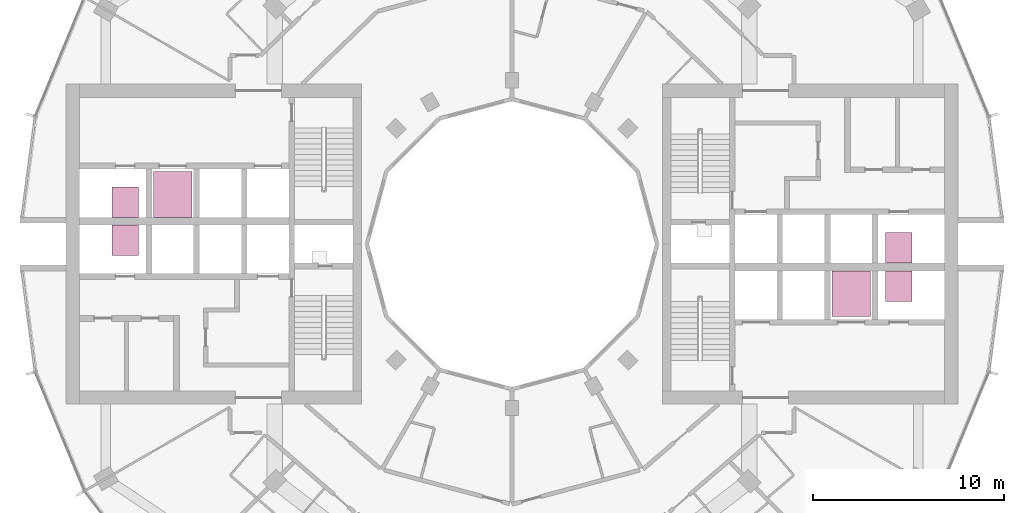
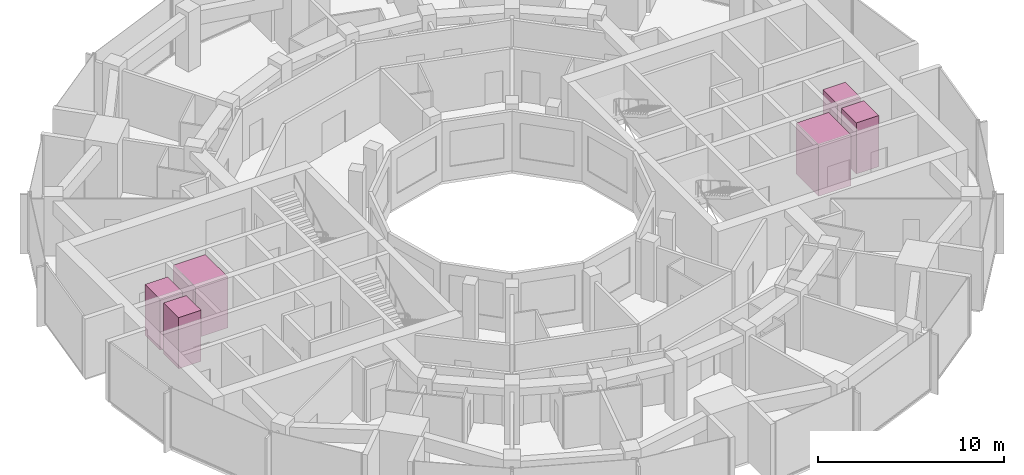
# One storey, part 15 of 15: 6 transport elements.
"""IFC4 building model written with IfcOpenShell, lengths in metres."""

from ifc_helpers import new_model, si_unit, direction, frame, origin, origin_2d, place, context, subcontext, project, spatial, rectangle, extrude, material, type_object, element, save


model = new_model("IFC4")

# Units and contexts
model_context = context("Model", 3, precision=1e-05, world=origin(), true_north=direction((0.0, 1.0)))
body_context = subcontext(model_context, "Body", "Model", "MODEL_VIEW")
ifc_project = project(units=[si_unit("LENGTHUNIT", "METRE"), si_unit("AREAUNIT", "SQUARE_METRE"), si_unit("VOLUMEUNIT", "CUBIC_METRE"), si_unit("PLANEANGLEUNIT", "RADIAN"), si_unit("MASSUNIT", "GRAM", prefix="KILO")], contexts=[model_context])

# Site, building, storey
site_placement = place(None, origin())
site = spatial("IfcSite", under=ifc_project, at=site_placement, CompositionType="ELEMENT")
building_placement = place(site_placement, origin())
building = spatial("IfcBuilding", under=site, at=building_placement, Name="Torre Brocal", CompositionType="ELEMENT")
storey_placement = place(building_placement, frame((0.0, 0.0, 114.60009765625)))
storey = spatial("IfcBuildingStorey", under=building, at=storey_placement, Name="L26", CompositionType="ELEMENT", Elevation=114.60009765625)

# Transport elements
ifc_material_1 = material(Name="Stainless steel AISI 316", Category="steel")
transport_element_type_1 = type_object("IfcTransportElementType", Name="PASSENGER LIFT 2000", PredefinedType="ELEVATOR", material=ifc_material_1)
for number, where, z_axis, x_axis, name in (
    (1, (97.800048828125, 72.39990234375, -0.000244140625), (0.0, 0.0, 1.0), (1.0, 0.0, 0.0), "LOW RISE LIFT E-LR2"),
    (2, (62.199951171875, 77.60009765625, -0.000244140625), (0.0, 0.0, 1.0), (1.0, 0.0, 0.0), "LOW RISE LIFT W-LR2"),
):
    element("IfcTransportElement", number, at=place(storey_placement, frame(where, z_axis=z_axis, x_axis=x_axis)), inside=storey, type_object=transport_element_type_1, Name=name, PredefinedType="ELEVATOR", context=body_context, shape_type="SweptSolid", body=[
        extrude(rectangle(XDim=2.0, YDim=2.39990234375, at=origin_2d()), origin(), (0.0, 0.0, 1.0), 3.35009765625),
    ])
ifc_material_2 = material(Name="Stainless steel AISI 316", Category="steel")
transport_element_type_2 = type_object("IfcTransportElementType", Name="PASSENGER LIFT 900", PredefinedType="ELEVATOR", material=ifc_material_2)
for number, where, z_axis, x_axis, name in (
    (3, (100.300048828125, 74.800048828125, -0.000244140625), (0.0, 0.0, 1.0), (1.0, 0.0, 0.0), "LOW RISE LIFT E-LR1"),
    (4, (100.300048828125, 72.800048828125, -0.000244140625), (0.0, 0.0, 1.0), (1.0, 0.0, 0.0), "LOW RISE LIFT E-LR3"),
    (5, (59.699951171875, 75.199951171875, -0.000244140625), (0.0, 0.0, 1.0), (1.0, 0.0, 0.0), "LOW RISE LIFT W-LR1"),
    (6, (59.699951171875, 77.199951171875, -0.000244140625), (0.0, 0.0, 1.0), (1.0, 0.0, 0.0), "LOW RISE LIFT W-LR3"),
):
    element("IfcTransportElement", number, at=place(storey_placement, frame(where, z_axis=z_axis, x_axis=x_axis)), inside=storey, type_object=transport_element_type_2, Name=name, PredefinedType="ELEVATOR", context=body_context, shape_type="SweptSolid", body=[
        extrude(rectangle(XDim=1.39990234375, YDim=1.60009765625, at=origin_2d()), origin(), (0.0, 0.0, 1.0), 3.35009765625),
    ])

save(model, "model.ifc")
